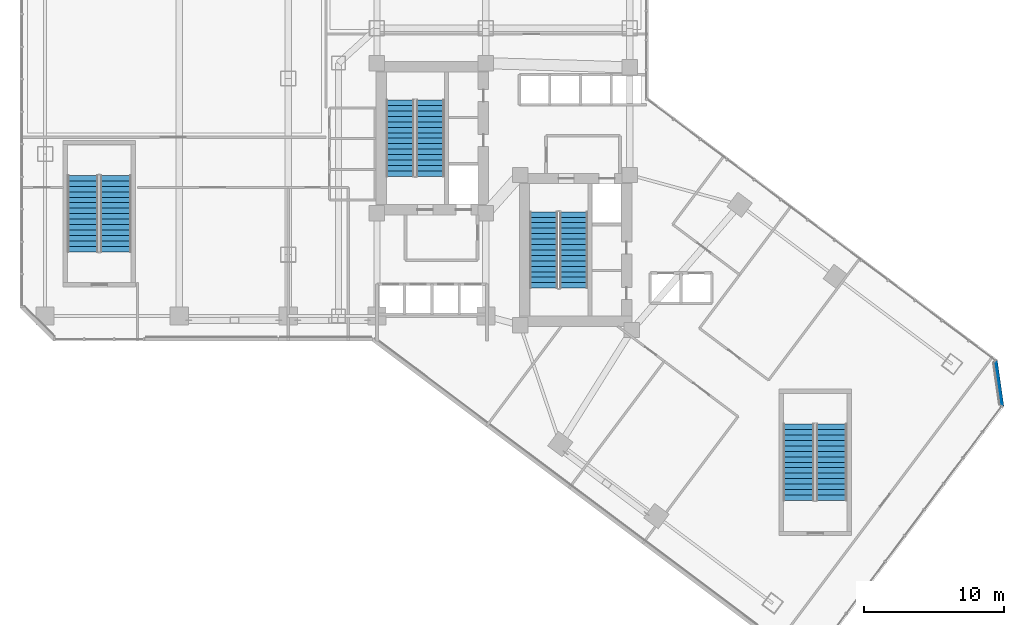
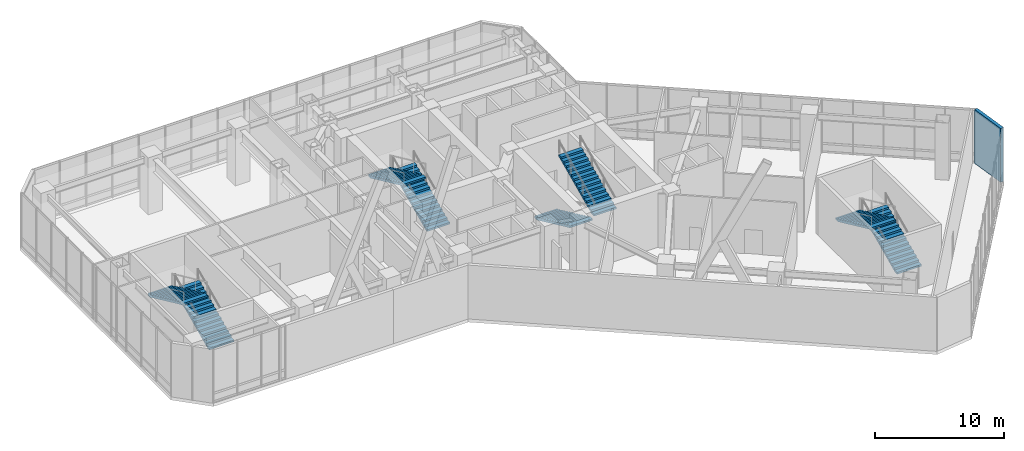
# One storey, part 30 of 35: 8 stair flights, 1 wall, 4 elements without a shape of their own.
"""IFC4 building model written with IfcOpenShell, lengths in metres."""

from ifc_helpers import new_model, si_unit, direction, frame, frame_2d, origin, place, context, subcontext, project, spatial, polyline, rectangle, outline, extrude, material, layer, layer_set, type_object, element, aggregate, save


model = new_model("IFC4")

# Units and contexts
model_context = context("Model", 3, precision=1e-05, world=origin(), true_north=direction((0.0, 1.0)))
body_context = subcontext(model_context, "Body", "Model", "MODEL_VIEW")
ifc_project = project(units=[si_unit("LENGTHUNIT", "METRE"), si_unit("AREAUNIT", "SQUARE_METRE"), si_unit("VOLUMEUNIT", "CUBIC_METRE"), si_unit("PLANEANGLEUNIT", "RADIAN"), si_unit("MASSUNIT", "GRAM", prefix="KILO")], contexts=[model_context])

# Site, building, storey
site_placement = place(None, origin())
site = spatial("IfcSite", under=ifc_project, at=site_placement, CompositionType="ELEMENT")
building_placement = place(site_placement, origin())
building = spatial("IfcBuilding", under=site, at=building_placement, Name="Hatsunagi Terrace Concourse", CompositionType="ELEMENT")
storey_placement = place(building_placement, frame((0.0, 0.0, 5.39990234375)))
storey = spatial("IfcBuildingStorey", under=building, at=storey_placement, Name="L02", CompositionType="ELEMENT", Elevation=5.39990234375)

# Wall
ifc_material_1 = material(Name="Autoclaved Lightweight Concrete and Terracotta Cladding", Category="masonry")
ifc_layer = layer(ifc_material_1, 0.280029296875)
ifc_layer_set = layer_set([ifc_layer], Name="TerracottaSpandrelWall_280")
wall_type = type_object("IfcWallType", Name="TerracottaSpandrelWall_280", PredefinedType="STANDARD", material=ifc_layer_set)
wall_placement = place(storey_placement, frame((69.830078125, 22.0029296875, 0.0), z_axis=(0.0, 0.0, 1.0), x_axis=(0.141223223777, -0.989977778067, 0.0)))
element("IfcWall", 1, at=wall_placement, inside=storey, type_object=wall_type, Name="Exterior Spandrel Wall EW-L02-02", PredefinedType="STANDARD", context=body_context, shape_type="SweptSolid", body=[
    extrude(rectangle(XDim=3.27783203125, YDim=0.280029296875, at=frame_2d((1.638916015625, 0.0))), origin(), (0.0, 0.0, 1.0), 5.10009765625),
])

# Stair, stair flights
ifc_material_2 = material(Name="Concrete Fc42", Category="concrete")
stair_type_1 = type_object("IfcStairType", Name="DoglegExitStair_Podium2200_30R_180", PredefinedType="HALF_TURN_STAIR", material=ifc_material_2)
stair_1_placement = place(storey_placement, origin())
stair_1 = element("IfcStair", 2, at=stair_1_placement, inside=storey, type_object=stair_type_1, Name="L02 West Podium Convention Exit Stair ST-P1", PredefinedType="HALF_TURN_STAIR")
ifc_material_3 = material(Name="Concrete Fc42", Category="concrete")
stair_flight_type_1 = type_object("IfcStairFlightType", Name="DoglegStairFlight_Podium2200_30R_180", PredefinedType="STRAIGHT", material=ifc_material_3)
stair_flight_1_placement = place(storey_placement, frame((6.85009765625, 29.800048828125, 0.0), z_axis=(0.0, 0.0, 1.0), x_axis=(0.0, 1.0, 0.0)))
stair_flight_1 = element("IfcStairFlight", 3, at=stair_flight_1_placement, type_object=stair_flight_type_1, Name="ST-P1 flight 1", NumberOfRisers=15, NumberOfTreads=14, PredefinedType="STRAIGHT", RiserHeight=0.18, TreadLength=0.39, context=body_context, shape_type="SweptSolid", body=[
    extrude(outline(polyline([(0.0, 0.0), (0.0, 0.179931640625), (0.389892578125, 0.179931640625), (0.389892578125, 0.360107421875), (0.780029296875, 0.360107421875), (0.780029296875, 0.5400390625), (1.169921875, 0.5400390625), (1.169921875, 0.719970703125), (1.56005859375, 0.719970703125), (1.56005859375, 0.89990234375), (1.949951171875, 0.89990234375), (1.949951171875, 1.080078125), (2.340087890625, 1.080078125), (2.340087890625, 1.260009765625), (2.72998046875, 1.260009765625), (2.72998046875, 1.43994140625), (3.1201171875, 1.43994140625), (3.1201171875, 1.6201171875), (3.510009765625, 1.6201171875), (3.510009765625, 1.800048828125), (3.89990234375, 1.800048828125), (3.89990234375, 1.97998046875), (4.2900390625, 1.97998046875), (4.2900390625, 2.159912109375), (4.679931640625, 2.159912109375), (4.679931640625, 2.340087890625), (5.070068359375, 2.340087890625), (5.070068359375, 2.52001953125), (5.4599609375, 2.52001953125), (5.4599609375, 2.699951171875), (5.4599609375, 2.35498046875), (0.357666015625, 0.0), (0.0, 0.0)])), frame((0.0, 1.10009765625, 0.0), z_axis=(0.0, -1.0, 0.0), x_axis=(1.0, 0.0, 0.0)), (0.0, 0.0, 1.0), 2.199951171875),
])
stair_flight_2_placement = place(storey_placement, frame((4.5, 35.260009765625, 2.7001953125), z_axis=(0.0, 0.0, 1.0), x_axis=(0.0, -1.0, 0.0)))
stair_flight_2 = element("IfcStairFlight", 4, at=stair_flight_2_placement, type_object=stair_flight_type_1, Name="ST-P1 flight 2", NumberOfRisers=15, NumberOfTreads=14, PredefinedType="STRAIGHT", RiserHeight=0.18, TreadLength=0.39, context=body_context, shape_type="SweptSolid", body=[
    extrude(outline(polyline([(0.0, 0.0), (0.0, 0.179931640625), (0.389892578125, 0.179931640625), (0.389892578125, 0.360107421875), (0.780029296875, 0.360107421875), (0.780029296875, 0.5400390625), (1.169921875, 0.5400390625), (1.169921875, 0.719970703125), (1.56005859375, 0.719970703125), (1.56005859375, 0.89990234375), (1.949951171875, 0.89990234375), (1.949951171875, 1.080078125), (2.340087890625, 1.080078125), (2.340087890625, 1.260009765625), (2.72998046875, 1.260009765625), (2.72998046875, 1.43994140625), (3.1201171875, 1.43994140625), (3.1201171875, 1.6201171875), (3.510009765625, 1.6201171875), (3.510009765625, 1.800048828125), (3.89990234375, 1.800048828125), (3.89990234375, 1.97998046875), (4.2900390625, 1.97998046875), (4.2900390625, 2.159912109375), (4.679931640625, 2.159912109375), (4.679931640625, 2.340087890625), (5.070068359375, 2.340087890625), (5.070068359375, 2.52001953125), (5.4599609375, 2.52001953125), (5.4599609375, 2.699951171875), (5.4599609375, 2.35498046875), (0.357666015625, 0.0), (0.0, 0.0)])), frame((0.0, 1.10009765625, 0.0), z_axis=(0.0, -1.0, 0.0), x_axis=(1.0, 0.0, 0.0)), (0.0, 0.0, 1.0), 2.199951171875),
])
aggregate(stair_1, [stair_flight_1, stair_flight_2])

stair_2_placement = place(storey_placement, origin())
stair_2 = element("IfcStair", 5, at=stair_2_placement, inside=storey, type_object=stair_type_1, Name="L02 Southeast Podium Ballroom Exit Stair ST-P2", PredefinedType="HALF_TURN_STAIR")
stair_flight_3_placement = place(storey_placement, frame((58.10009765625, 12.0, 0.0), z_axis=(0.0, 0.0, 1.0), x_axis=(0.0, 1.0, 0.0)))
stair_flight_3 = element("IfcStairFlight", 6, at=stair_flight_3_placement, type_object=stair_flight_type_1, Name="ST-P2 flight 1", NumberOfRisers=15, NumberOfTreads=14, PredefinedType="STRAIGHT", RiserHeight=0.18, TreadLength=0.39, context=body_context, shape_type="SweptSolid", body=[
    extrude(outline(polyline([(0.0, 0.0), (0.0, 0.179931640625), (0.389892578125, 0.179931640625), (0.389892578125, 0.360107421875), (0.780029296875, 0.360107421875), (0.780029296875, 0.5400390625), (1.169921875, 0.5400390625), (1.169921875, 0.719970703125), (1.56005859375, 0.719970703125), (1.56005859375, 0.89990234375), (1.949951171875, 0.89990234375), (1.949951171875, 1.080078125), (2.340087890625, 1.080078125), (2.340087890625, 1.260009765625), (2.72998046875, 1.260009765625), (2.72998046875, 1.43994140625), (3.1201171875, 1.43994140625), (3.1201171875, 1.6201171875), (3.510009765625, 1.6201171875), (3.510009765625, 1.800048828125), (3.89990234375, 1.800048828125), (3.89990234375, 1.97998046875), (4.2900390625, 1.97998046875), (4.2900390625, 2.159912109375), (4.679931640625, 2.159912109375), (4.679931640625, 2.340087890625), (5.070068359375, 2.340087890625), (5.070068359375, 2.52001953125), (5.4599609375, 2.52001953125), (5.4599609375, 2.699951171875), (5.4599609375, 2.35498046875), (0.357666015625, 0.0), (0.0, 0.0)])), frame((0.0, 1.10009765625, 0.0), z_axis=(0.0, -1.0, 0.0), x_axis=(1.0, 0.0, 0.0)), (0.0, 0.0, 1.0), 2.199951171875),
])
stair_flight_4_placement = place(storey_placement, frame((55.75, 17.4599609375, 2.7001953125), z_axis=(0.0, 0.0, 1.0), x_axis=(0.0, -1.0, 0.0)))
stair_flight_4 = element("IfcStairFlight", 7, at=stair_flight_4_placement, type_object=stair_flight_type_1, Name="ST-P2 flight 2", NumberOfRisers=15, NumberOfTreads=14, PredefinedType="STRAIGHT", RiserHeight=0.18, TreadLength=0.39, context=body_context, shape_type="SweptSolid", body=[
    extrude(outline(polyline([(0.0, 0.0), (0.0, 0.179931640625), (0.389892578125, 0.179931640625), (0.389892578125, 0.360107421875), (0.780029296875, 0.360107421875), (0.780029296875, 0.5400390625), (1.169921875, 0.5400390625), (1.169921875, 0.719970703125), (1.56005859375, 0.719970703125), (1.56005859375, 0.89990234375), (1.949951171875, 0.89990234375), (1.949951171875, 1.080078125), (2.340087890625, 1.080078125), (2.340087890625, 1.260009765625), (2.72998046875, 1.260009765625), (2.72998046875, 1.43994140625), (3.1201171875, 1.43994140625), (3.1201171875, 1.6201171875), (3.510009765625, 1.6201171875), (3.510009765625, 1.800048828125), (3.89990234375, 1.800048828125), (3.89990234375, 1.97998046875), (4.2900390625, 1.97998046875), (4.2900390625, 2.159912109375), (4.679931640625, 2.159912109375), (4.679931640625, 2.340087890625), (5.070068359375, 2.340087890625), (5.070068359375, 2.52001953125), (5.4599609375, 2.52001953125), (5.4599609375, 2.699951171875), (5.4599609375, 2.35498046875), (0.357666015625, 0.0), (0.0, 0.0)])), frame((0.0, 1.10009765625, 0.0), z_axis=(0.0, -1.0, 0.0), x_axis=(1.0, 0.0, 0.0)), (0.0, 0.0, 1.0), 2.199951171875),
])
aggregate(stair_2, [stair_flight_3, stair_flight_4])

ifc_material_4 = material(Name="Concrete Fc42", Category="concrete")
stair_type_2 = type_object("IfcStairType", Name="DoglegExitStair_Tower2000_30R_180", PredefinedType="HALF_TURN_STAIR", material=ifc_material_4)
stair_3_placement = place(storey_placement, origin())
stair_3 = element("IfcStair", 8, at=stair_3_placement, inside=storey, type_object=stair_type_2, Name="L02 Core A Protected Exit Stair ST-A", PredefinedType="HALF_TURN_STAIR")
ifc_material_5 = material(Name="Concrete Fc42", Category="concrete")
stair_flight_type_2 = type_object("IfcStairFlightType", Name="DoglegStairFlight_Tower2000_30R_180", PredefinedType="STRAIGHT", material=ifc_material_5)
stair_flight_5_placement = place(storey_placement, frame((29.3798828125, 35.199951171875, 0.0), z_axis=(0.0, 0.0, 1.0), x_axis=(0.0, 1.0, 0.0)))
stair_flight_5 = element("IfcStairFlight", 9, at=stair_flight_5_placement, type_object=stair_flight_type_2, Name="ST-A flight 1", NumberOfRisers=15, NumberOfTreads=14, PredefinedType="STRAIGHT", RiserHeight=0.18, TreadLength=0.39, context=body_context, shape_type="SweptSolid", body=[
    extrude(outline(polyline([(0.0, 0.0), (0.0, 0.179931640625), (0.389892578125, 0.179931640625), (0.389892578125, 0.360107421875), (0.780029296875, 0.360107421875), (0.780029296875, 0.5400390625), (1.169921875, 0.5400390625), (1.169921875, 0.719970703125), (1.56005859375, 0.719970703125), (1.56005859375, 0.89990234375), (1.949951171875, 0.89990234375), (1.949951171875, 1.080078125), (2.340087890625, 1.080078125), (2.340087890625, 1.260009765625), (2.72998046875, 1.260009765625), (2.72998046875, 1.43994140625), (3.1201171875, 1.43994140625), (3.1201171875, 1.6201171875), (3.510009765625, 1.6201171875), (3.510009765625, 1.800048828125), (3.89990234375, 1.800048828125), (3.89990234375, 1.97998046875), (4.2900390625, 1.97998046875), (4.2900390625, 2.159912109375), (4.679931640625, 2.159912109375), (4.679931640625, 2.340087890625), (5.070068359375, 2.340087890625), (5.070068359375, 2.52001953125), (5.4599609375, 2.52001953125), (5.4599609375, 2.699951171875), (5.4599609375, 2.35498046875), (0.357666015625, 0.0), (0.0, 0.0)])), frame((0.0, 1.0, 0.0), z_axis=(0.0, -1.0, 0.0), x_axis=(1.0, 0.0, 0.0)), (0.0, 0.0, 1.0), 2.0),
])
stair_flight_6_placement = place(storey_placement, frame((27.22998046875, 40.659912109375, 2.7001953125), z_axis=(0.0, 0.0, 1.0), x_axis=(0.0, -1.0, 0.0)))
stair_flight_6 = element("IfcStairFlight", 10, at=stair_flight_6_placement, type_object=stair_flight_type_2, Name="ST-A flight 2", NumberOfRisers=15, NumberOfTreads=14, PredefinedType="STRAIGHT", RiserHeight=0.18, TreadLength=0.39, context=body_context, shape_type="SweptSolid", body=[
    extrude(outline(polyline([(0.0, 0.0), (0.0, 0.179931640625), (0.389892578125, 0.179931640625), (0.389892578125, 0.360107421875), (0.780029296875, 0.360107421875), (0.780029296875, 0.5400390625), (1.169921875, 0.5400390625), (1.169921875, 0.719970703125), (1.56005859375, 0.719970703125), (1.56005859375, 0.89990234375), (1.949951171875, 0.89990234375), (1.949951171875, 1.080078125), (2.340087890625, 1.080078125), (2.340087890625, 1.260009765625), (2.72998046875, 1.260009765625), (2.72998046875, 1.43994140625), (3.1201171875, 1.43994140625), (3.1201171875, 1.6201171875), (3.510009765625, 1.6201171875), (3.510009765625, 1.800048828125), (3.89990234375, 1.800048828125), (3.89990234375, 1.97998046875), (4.2900390625, 1.97998046875), (4.2900390625, 2.159912109375), (4.679931640625, 2.159912109375), (4.679931640625, 2.340087890625), (5.070068359375, 2.340087890625), (5.070068359375, 2.52001953125), (5.4599609375, 2.52001953125), (5.4599609375, 2.699951171875), (5.4599609375, 2.35498046875), (0.357666015625, 0.0), (0.0, 0.0)])), frame((0.0, 1.0, 0.0), z_axis=(0.0, -1.0, 0.0), x_axis=(1.0, 0.0, 0.0)), (0.0, 0.0, 1.0), 2.0),
])
aggregate(stair_3, [stair_flight_5, stair_flight_6])

stair_4_placement = place(storey_placement, origin())
stair_4 = element("IfcStair", 11, at=stair_4_placement, inside=storey, type_object=stair_type_2, Name="L02 Core B Protected Exit Stair ST-B", PredefinedType="HALF_TURN_STAIR")
stair_flight_7_placement = place(storey_placement, frame((37.5, 32.659912109375, 0.0), z_axis=(0.0, 0.0, 1.0), x_axis=(0.0, -1.0, 0.0)))
stair_flight_7 = element("IfcStairFlight", 12, at=stair_flight_7_placement, type_object=stair_flight_type_2, Name="ST-B flight 1", NumberOfRisers=15, NumberOfTreads=14, PredefinedType="STRAIGHT", RiserHeight=0.18, TreadLength=0.39, context=body_context, shape_type="SweptSolid", body=[
    extrude(outline(polyline([(0.0, 0.0), (0.0, 0.179931640625), (0.389892578125, 0.179931640625), (0.389892578125, 0.360107421875), (0.780029296875, 0.360107421875), (0.780029296875, 0.5400390625), (1.169921875, 0.5400390625), (1.169921875, 0.719970703125), (1.56005859375, 0.719970703125), (1.56005859375, 0.89990234375), (1.949951171875, 0.89990234375), (1.949951171875, 1.080078125), (2.340087890625, 1.080078125), (2.340087890625, 1.260009765625), (2.72998046875, 1.260009765625), (2.72998046875, 1.43994140625), (3.1201171875, 1.43994140625), (3.1201171875, 1.6201171875), (3.510009765625, 1.6201171875), (3.510009765625, 1.800048828125), (3.89990234375, 1.800048828125), (3.89990234375, 1.97998046875), (4.2900390625, 1.97998046875), (4.2900390625, 2.159912109375), (4.679931640625, 2.159912109375), (4.679931640625, 2.340087890625), (5.070068359375, 2.340087890625), (5.070068359375, 2.52001953125), (5.4599609375, 2.52001953125), (5.4599609375, 2.699951171875), (5.4599609375, 2.35498046875), (0.357666015625, 0.0), (0.0, 0.0)])), frame((0.0, 1.0, 0.0), z_axis=(0.0, -1.0, 0.0), x_axis=(1.0, 0.0, 0.0)), (0.0, 0.0, 1.0), 2.0),
])
stair_flight_8_placement = place(storey_placement, frame((39.64990234375, 27.199951171875, 2.7001953125), z_axis=(0.0, 0.0, 1.0), x_axis=(0.0, 1.0, 0.0)))
stair_flight_8 = element("IfcStairFlight", 13, at=stair_flight_8_placement, type_object=stair_flight_type_2, Name="ST-B flight 2", NumberOfRisers=15, NumberOfTreads=14, PredefinedType="STRAIGHT", RiserHeight=0.18, TreadLength=0.39, context=body_context, shape_type="SweptSolid", body=[
    extrude(outline(polyline([(0.0, 0.0), (0.0, 0.179931640625), (0.389892578125, 0.179931640625), (0.389892578125, 0.360107421875), (0.780029296875, 0.360107421875), (0.780029296875, 0.5400390625), (1.169921875, 0.5400390625), (1.169921875, 0.719970703125), (1.56005859375, 0.719970703125), (1.56005859375, 0.89990234375), (1.949951171875, 0.89990234375), (1.949951171875, 1.080078125), (2.340087890625, 1.080078125), (2.340087890625, 1.260009765625), (2.72998046875, 1.260009765625), (2.72998046875, 1.43994140625), (3.1201171875, 1.43994140625), (3.1201171875, 1.6201171875), (3.510009765625, 1.6201171875), (3.510009765625, 1.800048828125), (3.89990234375, 1.800048828125), (3.89990234375, 1.97998046875), (4.2900390625, 1.97998046875), (4.2900390625, 2.159912109375), (4.679931640625, 2.159912109375), (4.679931640625, 2.340087890625), (5.070068359375, 2.340087890625), (5.070068359375, 2.52001953125), (5.4599609375, 2.52001953125), (5.4599609375, 2.699951171875), (5.4599609375, 2.35498046875), (0.357666015625, 0.0), (0.0, 0.0)])), frame((0.0, 1.0, 0.0), z_axis=(0.0, -1.0, 0.0), x_axis=(1.0, 0.0, 0.0)), (0.0, 0.0, 1.0), 2.0),
])
aggregate(stair_4, [stair_flight_7, stair_flight_8])

save(model, "model.ifc")
